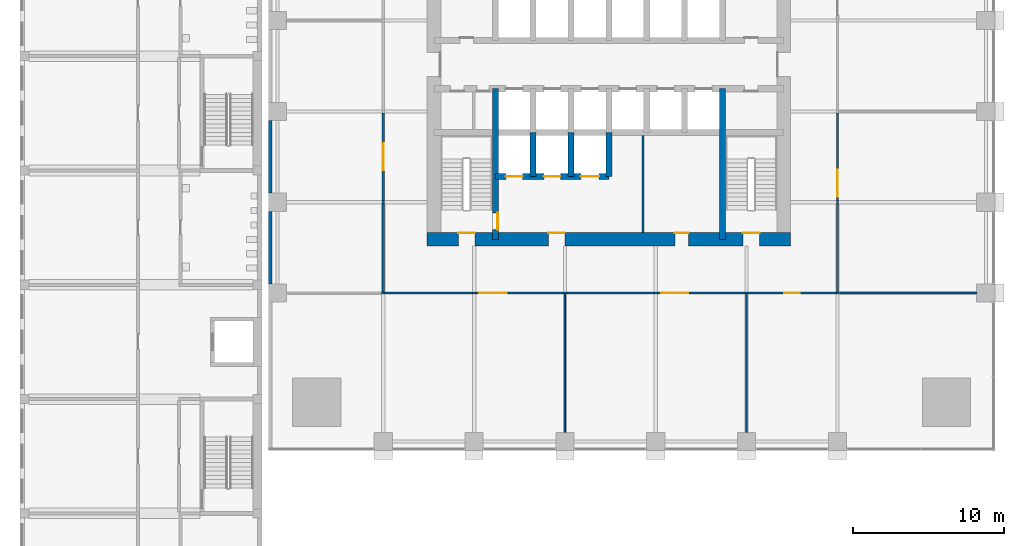
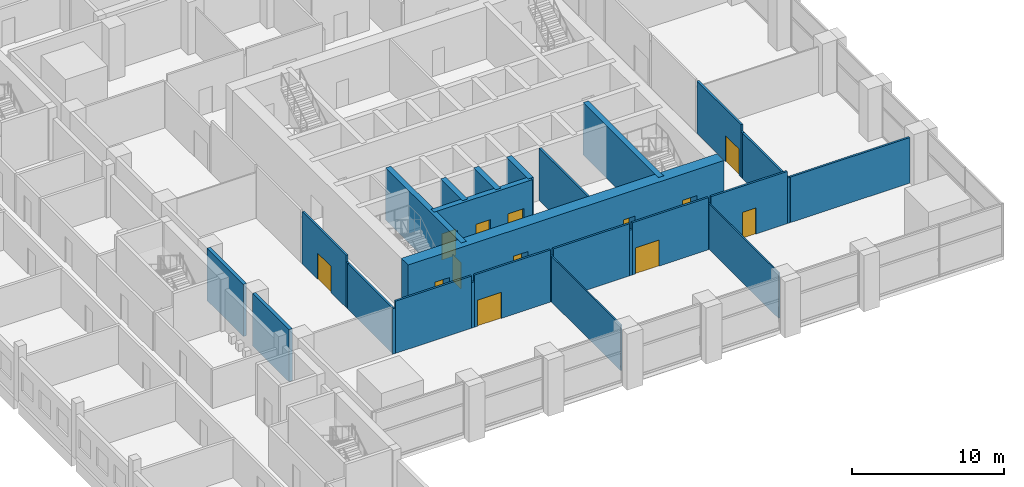
# One storey, part 11 of 25: 30 walls, 13 doors, 13 openings.
"""IFC4 building model written with IfcOpenShell, lengths in metres."""

from ifc_helpers import new_model, si_unit, direction, frame, frame_2d, origin, place, context, subcontext, project, spatial, rectangle, extrude, material, layer, layer_set, type_object, element, fill, save


model = new_model("IFC4")

# Units and contexts
model_context = context("Model", 3, precision=1e-05, world=origin(), true_north=direction((0.0, 1.0)))
body_context = subcontext(model_context, "Body", "Model", "MODEL_VIEW")
ifc_project = project(units=[si_unit("LENGTHUNIT", "METRE"), si_unit("AREAUNIT", "SQUARE_METRE"), si_unit("VOLUMEUNIT", "CUBIC_METRE"), si_unit("PLANEANGLEUNIT", "RADIAN"), si_unit("MASSUNIT", "GRAM", prefix="KILO")], contexts=[model_context])

# Site, building, storey
site_placement = place(None, origin())
site = spatial("IfcSite", under=ifc_project, at=site_placement, CompositionType="ELEMENT")
building_placement = place(site_placement, origin())
building = spatial("IfcBuilding", under=site, at=building_placement, Name="Amberfall Residences", CompositionType="ELEMENT")
storey_placement = place(building_placement, frame((0.0, 0.0, 10.0)))
storey = spatial("IfcBuildingStorey", under=building, at=storey_placement, Name="L02", CompositionType="ELEMENT", Elevation=10.0)

# Wall, opening, door
ifc_material_1 = material(Name="Concrete C80", Category="concrete")
ifc_layer_1 = layer(ifc_material_1, 0.39990234375)
ifc_layer_set_1 = layer_set([ifc_layer_1], Name="Core wall 400 C80")
wall_type_1 = type_object("IfcWallType", Name="Core wall 400 C80", PredefinedType="SHEAR", material=ifc_layer_set_1)
wall_1_placement = place(storey_placement, frame((67.0, 33.949951171875, 0.0), z_axis=(0.0, 0.0, 1.0), x_axis=(0.0, 1.0, 0.0)))
wall_1 = element("IfcWall", 1, at=wall_1_placement, inside=storey, type_object=wall_type_1, Name="Core wall RW2 L02 V45S", PredefinedType="SHEAR", context=body_context, shape_type="SweptSolid", body=[
    extrude(rectangle(XDim=9.949951171875, YDim=0.39990234375, at=frame_2d((4.97509765625, 0.0))), origin(), (0.0, 0.0, 1.0), 4.199951171875),
])
opening_1_placement = place(wall_1_placement, frame((0.64990234375, 0.0, 0.0)))
opening_1 = element("IfcOpeningElement", 2, at=opening_1_placement, cuts=wall_1, Name="Opening FL1", PredefinedType="OPENING", context=body_context, shape_type="SweptSolid", body=[
    extrude(rectangle(XDim=1.10009765625, YDim=2.10009765625, at=frame_2d((0.550048828125, 1.050048828125))), frame((0.0, 0.2099609375, 0.0), z_axis=(0.0, -1.0, 0.0), x_axis=(1.0, 0.0, 0.0)), (0.0, 0.0, 1.0), 0.419921875),
])
ifc_material_2 = material(Name="Steel fire door set", Category="steel")
door_type_1 = type_object("IfcDoorType", Name="Firefighting lobby door 1100 x 2100", OperationType="SINGLE_SWING_LEFT", PredefinedType="DOOR", material=ifc_material_2)
door_1_placement = place(opening_1_placement, origin())
door_1 = element("IfcDoor", 3, at=door_1_placement, inside=storey, type_object=door_type_1, Name="FL1 L02", OperationType="SINGLE_SWING_RIGHT", OverallHeight=2.10009765625, OverallWidth=1.10009765625, PredefinedType="DOOR", context=body_context, shape_type="SweptSolid", body=[
    extrude(rectangle(XDim=1.10009765625, YDim=2.10009765625, at=frame_2d((0.550048828125, 1.050048828125))), frame((0.0, -0.1376953125, 0.0), z_axis=(0.0, -1.0, 0.0), x_axis=(1.0, 0.0, 0.0)), (0.0, 0.0, 1.0), 0.050048828125),
])
fill(opening_1, door_1)

# Wall
wall_2_placement = place(storey_placement, frame((82.0, 33.949951171875, 0.0), z_axis=(0.0, 0.0, 1.0), x_axis=(0.0, 1.0, 0.0)))
element("IfcWall", 4, at=wall_2_placement, inside=storey, type_object=wall_type_1, Name="Core wall RW2 L02 V195S", PredefinedType="SHEAR", context=body_context, shape_type="SweptSolid", body=[
    extrude(rectangle(XDim=9.949951171875, YDim=0.39990234375, at=frame_2d((4.97509765625, 0.0))), origin(), (0.0, 0.0, 1.0), 4.199951171875),
])

# Wall, openings, doors
wall_3_placement = place(storey_placement, frame((67.0, 38.10009765625, 0.0), z_axis=(0.0, 0.0, 1.0), x_axis=(1.0, 0.0, 0.0)))
wall_3 = element("IfcWall", 5, at=wall_3_placement, inside=storey, type_object=wall_type_1, Name="Core wall RW2 L02 FFF", PredefinedType="SHEAR", context=body_context, shape_type="SweptSolid", body=[
    extrude(rectangle(XDim=7.5, YDim=0.39990234375, at=frame_2d((3.75, 0.0))), origin(), (0.0, 0.0, 1.0), 4.199951171875),
])
opening_2_placement = place(wall_3_placement, frame((0.699951171875, 0.0, 0.0)))
opening_2 = element("IfcOpeningElement", 6, at=opening_2_placement, cuts=wall_3, Name="Opening LD2", PredefinedType="OPENING", context=body_context, shape_type="SweptSolid", body=[
    extrude(rectangle(XDim=1.10009765625, YDim=2.10009765625, at=frame_2d((0.550048828125, 1.050048828125))), frame((0.0, 0.2099609375, 0.0), z_axis=(0.0, -1.0, 0.0), x_axis=(1.0, 0.0, 0.0)), (0.0, 0.0, 1.0), 0.419921875),
])
opening_3_placement = place(wall_3_placement, frame((3.199951171875, 0.0, 0.0)))
opening_3 = element("IfcOpeningElement", 7, at=opening_3_placement, cuts=wall_3, Name="Opening LD2", PredefinedType="OPENING", context=body_context, shape_type="SweptSolid", body=[
    extrude(rectangle(XDim=1.10009765625, YDim=2.10009765625, at=frame_2d((0.550048828125, 1.050048828125))), frame((0.0, 0.2099609375, 0.0), z_axis=(0.0, -1.0, 0.0), x_axis=(1.0, 0.0, 0.0)), (0.0, 0.0, 1.0), 0.419921875),
])
opening_4_placement = place(wall_3_placement, frame((5.64990234375, 0.0, 0.0)))
opening_4 = element("IfcOpeningElement", 8, at=opening_4_placement, cuts=wall_3, Name="Opening LD3", PredefinedType="OPENING", context=body_context, shape_type="SweptSolid", body=[
    extrude(rectangle(XDim=1.199951171875, YDim=2.10009765625, at=frame_2d((0.60009765625, 1.050048828125))), frame((0.0, 0.2099609375, 0.0), z_axis=(0.0, -1.0, 0.0), x_axis=(1.0, 0.0, 0.0)), (0.0, 0.0, 1.0), 0.419921875),
])
door_type_2 = type_object("IfcDoorType", Name="Firefighting lift landing door 1100 x 2100", OperationType="DOUBLE_DOOR_SLIDING", PredefinedType="DOOR", material=ifc_material_2)
door_2_placement = place(opening_2_placement, origin())
door_2 = element("IfcDoor", 9, at=door_2_placement, inside=storey, type_object=door_type_2, Name="Landing door FF1 L02", OperationType="DOUBLE_DOOR_SLIDING", OverallHeight=2.10009765625, OverallWidth=1.10009765625, PredefinedType="DOOR", context=body_context, shape_type="SweptSolid", body=[
    extrude(rectangle(XDim=1.10009765625, YDim=2.10009765625, at=frame_2d((0.550048828125, 1.050048828125))), frame((0.0, 0.02490234375, 0.0), z_axis=(0.0, -1.0, 0.0), x_axis=(1.0, 0.0, 0.0)), (0.0, 0.0, 1.0), 0.050048828125),
])
fill(opening_2, door_2)
door_3_placement = place(opening_3_placement, origin())
door_3 = element("IfcDoor", 10, at=door_3_placement, inside=storey, type_object=door_type_2, Name="Landing door FF2 L02", OperationType="DOUBLE_DOOR_SLIDING", OverallHeight=2.10009765625, OverallWidth=1.10009765625, PredefinedType="DOOR", context=body_context, shape_type="SweptSolid", body=[
    extrude(rectangle(XDim=1.10009765625, YDim=2.10009765625, at=frame_2d((0.550048828125, 1.050048828125))), frame((0.0, 0.02490234375, 0.0), z_axis=(0.0, -1.0, 0.0), x_axis=(1.0, 0.0, 0.0)), (0.0, 0.0, 1.0), 0.050048828125),
])
fill(opening_3, door_3)
door_type_3 = type_object("IfcDoorType", Name="Service lift landing door 1200 x 2100", OperationType="DOUBLE_DOOR_SLIDING", PredefinedType="DOOR", material=ifc_material_2)
door_4_placement = place(opening_4_placement, origin())
door_4 = element("IfcDoor", 11, at=door_4_placement, inside=storey, type_object=door_type_3, Name="Landing door SL1 L02", OperationType="DOUBLE_DOOR_SLIDING", OverallHeight=2.10009765625, OverallWidth=1.199951171875, PredefinedType="DOOR", context=body_context, shape_type="SweptSolid", body=[
    extrude(rectangle(XDim=1.199951171875, YDim=2.10009765625, at=frame_2d((0.60009765625, 1.050048828125))), frame((0.0, 0.02490234375, 0.0), z_axis=(0.0, -1.0, 0.0), x_axis=(1.0, 0.0, 0.0)), (0.0, 0.0, 1.0), 0.050048828125),
])
fill(opening_4, door_4)

# Walls
for number, where, z_axis, x_axis, name in (
    (12, (69.5, 38.10009765625, 0.0), (0.0, 0.0, 1.0), (0.0, 1.0, 0.0), "Core wall RW2 L02 FFD1"),
    (13, (72.0, 38.10009765625, 0.0), (0.0, 0.0, 1.0), (0.0, 1.0, 0.0), "Core wall RW2 L02 FFD2"),
    (14, (74.5, 38.10009765625, 0.0), (0.0, 0.0, 1.0), (0.0, 1.0, 0.0), "Core wall RW2 L02 FFD3"),
):
    element("IfcWall", number, at=place(storey_placement, frame(where, z_axis=z_axis, x_axis=x_axis)), inside=storey, type_object=wall_type_1, Name=name, PredefinedType="SHEAR", context=body_context, shape_type="SweptSolid", body=[
        extrude(rectangle(XDim=2.89990234375, YDim=0.39990234375, at=frame_2d((1.449951171875, 0.0))), origin(), (0.0, 0.0, 1.0), 4.199951171875),
    ])

# Wall, openings, doors
ifc_layer_2 = layer(ifc_material_1, 0.89990234375)
ifc_layer_set_2 = layer_set([ifc_layer_2], Name="Core wall 900 C80")
wall_type_2 = type_object("IfcWallType", Name="Core wall 900 C80", PredefinedType="SHEAR", material=ifc_layer_set_2)
wall_4_placement = place(storey_placement, frame((62.5, 33.949951171875, 0.0), z_axis=(0.0, 0.0, 1.0), x_axis=(1.0, 0.0, 0.0)))
wall_4 = element("IfcWall", 15, at=wall_4_placement, inside=storey, type_object=wall_type_2, Name="Core wall RW1 L02 OS", PredefinedType="SHEAR", context=body_context, shape_type="SweptSolid", body=[
    extrude(rectangle(XDim=24.0, YDim=0.89990234375, at=frame_2d((12.0, 0.0))), origin(), (0.0, 0.0, 1.0), 4.199951171875),
])
opening_5_placement = place(wall_4_placement, frame((2.050048828125, 0.0, 0.0)))
opening_5 = element("IfcOpeningElement", 16, at=opening_5_placement, cuts=wall_4, Name="Opening SD1", PredefinedType="OPENING", context=body_context, shape_type="SweptSolid", body=[
    extrude(rectangle(XDim=1.10009765625, YDim=2.10009765625, at=frame_2d((0.550048828125, 1.050048828125))), frame((0.0, 0.4599609375, 0.0), z_axis=(0.0, -1.0, 0.0), x_axis=(1.0, 0.0, 0.0)), (0.0, 0.0, 1.0), 0.919921875),
])
opening_6_placement = place(wall_4_placement, frame((20.85009765625, 0.0, 0.0)))
opening_6 = element("IfcOpeningElement", 17, at=opening_6_placement, cuts=wall_4, Name="Opening SD1", PredefinedType="OPENING", context=body_context, shape_type="SweptSolid", body=[
    extrude(rectangle(XDim=1.10009765625, YDim=2.10009765625, at=frame_2d((0.550048828125, 1.050048828125))), frame((0.0, 0.4599609375, 0.0), z_axis=(0.0, -1.0, 0.0), x_axis=(1.0, 0.0, 0.0)), (0.0, 0.0, 1.0), 0.919921875),
])
opening_7_placement = place(wall_4_placement, frame((8.0, 0.0, 0.0)))
opening_7 = element("IfcOpeningElement", 18, at=opening_7_placement, cuts=wall_4, Name="Opening FL1", PredefinedType="OPENING", context=body_context, shape_type="SweptSolid", body=[
    extrude(rectangle(XDim=1.10009765625, YDim=2.10009765625, at=frame_2d((0.550048828125, 1.050048828125))), frame((0.0, 0.4599609375, 0.0), z_axis=(0.0, -1.0, 0.0), x_axis=(1.0, 0.0, 0.0)), (0.0, 0.0, 1.0), 0.919921875),
])
opening_8_placement = place(wall_4_placement, frame((16.362548828125, 0.0, 0.0)))
opening_8 = element("IfcOpeningElement", 19, at=opening_8_placement, cuts=wall_4, Name="Opening RD1", PredefinedType="OPENING", context=body_context, shape_type="SweptSolid", body=[
    extrude(rectangle(XDim=0.89990234375, YDim=2.10009765625, at=frame_2d((0.449951171875, 1.050048828125))), frame((0.0, 0.4599609375, 0.0), z_axis=(0.0, -1.0, 0.0), x_axis=(1.0, 0.0, 0.0)), (0.0, 0.0, 1.0), 0.919921875),
])
door_5_placement = place(opening_7_placement, origin())
door_5 = element("IfcDoor", 20, at=door_5_placement, inside=storey, type_object=door_type_1, Name="FL1 L02", OperationType="SINGLE_SWING_LEFT", OverallHeight=2.10009765625, OverallWidth=1.10009765625, PredefinedType="DOOR", context=body_context, shape_type="SweptSolid", body=[
    extrude(rectangle(XDim=1.10009765625, YDim=2.10009765625, at=frame_2d((0.550048828125, 1.050048828125))), frame((0.0, 0.4375, 0.0), z_axis=(0.0, -1.0, 0.0), x_axis=(1.0, 0.0, 0.0)), (0.0, 0.0, 1.0), 0.050048828125),
])
fill(opening_7, door_5)
door_type_4 = type_object("IfcDoorType", Name="Service room door 900 x 2100", OperationType="SINGLE_SWING_LEFT", PredefinedType="DOOR", material=ifc_material_2)
door_6_placement = place(opening_8_placement, origin())
door_6 = element("IfcDoor", 21, at=door_6_placement, inside=storey, type_object=door_type_4, Name="RD1 L02", OperationType="SINGLE_SWING_LEFT", OverallHeight=2.10009765625, OverallWidth=0.89990234375, PredefinedType="DOOR", context=body_context, shape_type="SweptSolid", body=[
    extrude(rectangle(XDim=0.89990234375, YDim=2.10009765625, at=frame_2d((0.449951171875, 1.050048828125))), frame((0.0, 0.4375, 0.0), z_axis=(0.0, -1.0, 0.0), x_axis=(1.0, 0.0, 0.0)), (0.0, 0.0, 1.0), 0.050048828125),
])
fill(opening_8, door_6)
door_type_5 = type_object("IfcDoorType", Name="Stair door 1100 x 2100", OperationType="SINGLE_SWING_LEFT", PredefinedType="DOOR", material=ifc_material_2)
door_7_placement = place(opening_5_placement, origin())
door_7 = element("IfcDoor", 22, at=door_7_placement, inside=storey, type_object=door_type_5, Name="SD1 L02", OperationType="SINGLE_SWING_LEFT", OverallHeight=2.10009765625, OverallWidth=1.10009765625, PredefinedType="DOOR", context=body_context, shape_type="SweptSolid", body=[
    extrude(rectangle(XDim=1.10009765625, YDim=2.10009765625, at=frame_2d((0.550048828125, 1.050048828125))), frame((0.0, 0.4375, 0.0), z_axis=(0.0, -1.0, 0.0), x_axis=(1.0, 0.0, 0.0)), (0.0, 0.0, 1.0), 0.050048828125),
])
fill(opening_5, door_7)
door_8_placement = place(opening_6_placement, origin())
door_8 = element("IfcDoor", 23, at=door_8_placement, inside=storey, type_object=door_type_5, Name="SD1 L02", OperationType="SINGLE_SWING_RIGHT", OverallHeight=2.10009765625, OverallWidth=1.10009765625, PredefinedType="DOOR", context=body_context, shape_type="SweptSolid", body=[
    extrude(rectangle(XDim=1.10009765625, YDim=2.10009765625, at=frame_2d((0.550048828125, 1.050048828125))), frame((0.0, 0.4375, 0.0), z_axis=(0.0, -1.0, 0.0), x_axis=(1.0, 0.0, 0.0)), (0.0, 0.0, 1.0), 0.050048828125),
])
fill(opening_6, door_8)

# Walls
ifc_material_3 = material(Name="Gypsum board on steel studs", Category="steel")
ifc_layer_3 = layer(ifc_material_3, 0.10009765625)
ifc_layer_set_3 = layer_set([ifc_layer_3], Name="Partition 100")
wall_type_3 = type_object("IfcWallType", Name="Partition 100", PredefinedType="PARTITIONING", material=ifc_layer_set_3)
for number, where, z_axis, x_axis, name in (
    (24, (71.60009765625, 21.199951171875, 0.0), (0.0, 0.0, 1.0), (0.0, 1.0, 0.0), "Partition 100 L02 005"),
    (25, (83.60009765625, 21.199951171875, 0.0), (0.0, 0.0, 1.0), (0.0, 1.0, 0.0), "Partition 100 L02 012"),
):
    element("IfcWall", number, at=place(storey_placement, frame(where, z_axis=z_axis, x_axis=x_axis)), inside=storey, type_object=wall_type_3, Name=name, PredefinedType="PARTITIONING", context=body_context, shape_type="SweptSolid", body=[
        extrude(rectangle(XDim=9.125, YDim=0.10009765625, at=frame_2d((4.5625, 0.0))), origin(), (0.0, 0.0, 1.0), 3.659912109375),
    ])
ifc_material_4 = material(Name="Fire-rated gypsum board on steel studs", Category="steel")
ifc_layer_4 = layer(ifc_material_4, 0.14990234375)
ifc_layer_set_4 = layer_set([ifc_layer_4], Name="Partition 150 fire-rated")
wall_type_4 = type_object("IfcWallType", Name="Partition 150 fire-rated", PredefinedType="PARTITIONING", material=ifc_layer_set_4)
wall_5_placement = place(storey_placement, frame((59.49462890625, 30.39990234375, 0.0), z_axis=(0.0, 0.0, 1.0), x_axis=(1.0, 0.0, 0.0)))
element("IfcWall", 26, at=wall_5_placement, inside=storey, type_object=wall_type_4, Name="Partition 150 fire-rated L02 002", PredefinedType="PARTITIONING", context=body_context, shape_type="SweptSolid", body=[
    extrude(rectangle(XDim=0.210693359375, YDim=0.14990234375, at=frame_2d((0.10546875, 0.0))), origin(), (0.0, 0.0, 1.0), 3.659912109375),
])
wall_6_placement = place(storey_placement, frame((59.705322265625, 30.39990234375, 0.0), z_axis=(0.0, 0.0, 1.0), x_axis=(1.0, 0.0, 0.0)))
element("IfcWall", 27, at=wall_6_placement, inside=storey, type_object=wall_type_4, Name="Partition 150 fire-rated L02 003", PredefinedType="PARTITIONING", context=body_context, shape_type="SweptSolid", body=[
    extrude(rectangle(XDim=5.789306640625, YDim=0.14990234375, at=frame_2d((2.89453125, 0.0))), origin(), (0.0, 0.0, 1.0), 4.199951171875),
])
wall_7_placement = place(storey_placement, frame((65.49462890625, 30.39990234375, 0.0), z_axis=(0.0, 0.0, 1.0), x_axis=(1.0, 0.0, 0.0)))
element("IfcWall", 28, at=wall_7_placement, inside=storey, type_object=wall_type_4, Name="Partition 150 fire-rated L02 004", PredefinedType="PARTITIONING", context=body_context, shape_type="SweptSolid", body=[
    extrude(rectangle(XDim=0.210693359375, YDim=0.14990234375, at=frame_2d((0.10546875, 0.0))), origin(), (0.0, 0.0, 1.0), 3.659912109375),
])

# Wall, opening, door
wall_8_placement = place(storey_placement, frame((65.705322265625, 30.39990234375, 0.0), z_axis=(0.0, 0.0, 1.0), x_axis=(1.0, 0.0, 0.0)))
wall_8 = element("IfcWall", 29, at=wall_8_placement, inside=storey, type_object=wall_type_4, Name="Partition 150 fire-rated L02 005", PredefinedType="PARTITIONING", context=body_context, shape_type="SweptSolid", body=[
    extrude(rectangle(XDim=5.789306640625, YDim=0.14990234375, at=frame_2d((2.89453125, 0.0))), origin(), (0.0, 0.0, 1.0), 4.199951171875),
])
opening_9_placement = place(wall_8_placement, frame((0.24462890625, 0.0, 0.0)))
opening_9 = element("IfcOpeningElement", 30, at=opening_9_placement, cuts=wall_8, Name="Opening D5", PredefinedType="OPENING", context=body_context, shape_type="SweptSolid", body=[
    extrude(rectangle(XDim=1.800048828125, YDim=2.10009765625, at=frame_2d((0.89990234375, 1.050048828125))), frame((0.0, 0.0849609375, 0.0), z_axis=(0.0, -1.0, 0.0), x_axis=(1.0, 0.0, 0.0)), (0.0, 0.0, 1.0), 0.169921875),
])
ifc_material_5 = material(Name="Timber veneer door leaf", Category="wood")
door_type_6 = type_object("IfcDoorType", Name="Double door 1800x2100", OperationType="DOUBLE_DOOR_SINGLE_SWING", PredefinedType="DOOR", material=ifc_material_5)
door_9_placement = place(opening_9_placement, origin())
door_9 = element("IfcDoor", 31, at=door_9_placement, inside=storey, type_object=door_type_6, Name="Door Gym", OperationType="DOUBLE_DOOR_SINGLE_SWING", OverallHeight=2.10009765625, OverallWidth=1.800048828125, PredefinedType="DOOR", context=body_context, shape_type="SweptSolid", body=[
    extrude(rectangle(XDim=1.800048828125, YDim=2.10009765625, at=frame_2d((0.89990234375, 1.050048828125))), frame((0.0, 0.02490234375, 0.0), z_axis=(0.0, -1.0, 0.0), x_axis=(1.0, 0.0, 0.0)), (0.0, 0.0, 1.0), 0.050048828125),
])
fill(opening_9, door_9)

# Walls
wall_9_placement = place(storey_placement, frame((71.49462890625, 30.39990234375, 0.0), z_axis=(0.0, 0.0, 1.0), x_axis=(1.0, 0.0, 0.0)))
element("IfcWall", 32, at=wall_9_placement, inside=storey, type_object=wall_type_4, Name="Partition 150 fire-rated L02 006", PredefinedType="PARTITIONING", context=body_context, shape_type="SweptSolid", body=[
    extrude(rectangle(XDim=0.210693359375, YDim=0.14990234375, at=frame_2d((0.10546875, 0.0))), origin(), (0.0, 0.0, 1.0), 3.659912109375),
])
wall_10_placement = place(storey_placement, frame((71.705322265625, 30.39990234375, 0.0), z_axis=(0.0, 0.0, 1.0), x_axis=(1.0, 0.0, 0.0)))
element("IfcWall", 33, at=wall_10_placement, inside=storey, type_object=wall_type_4, Name="Partition 150 fire-rated L02 007", PredefinedType="PARTITIONING", context=body_context, shape_type="SweptSolid", body=[
    extrude(rectangle(XDim=5.789306640625, YDim=0.14990234375, at=frame_2d((2.89453125, 0.0))), origin(), (0.0, 0.0, 1.0), 4.199951171875),
])
wall_11_placement = place(storey_placement, frame((77.49462890625, 30.39990234375, 0.0), z_axis=(0.0, 0.0, 1.0), x_axis=(1.0, 0.0, 0.0)))
element("IfcWall", 34, at=wall_11_placement, inside=storey, type_object=wall_type_4, Name="Partition 150 fire-rated L02 008", PredefinedType="PARTITIONING", context=body_context, shape_type="SweptSolid", body=[
    extrude(rectangle(XDim=0.210693359375, YDim=0.14990234375, at=frame_2d((0.10546875, 0.0))), origin(), (0.0, 0.0, 1.0), 3.659912109375),
])

# Wall, opening, door
wall_12_placement = place(storey_placement, frame((77.705322265625, 30.39990234375, 0.0), z_axis=(0.0, 0.0, 1.0), x_axis=(1.0, 0.0, 0.0)))
wall_12 = element("IfcWall", 35, at=wall_12_placement, inside=storey, type_object=wall_type_4, Name="Partition 150 fire-rated L02 009", PredefinedType="PARTITIONING", context=body_context, shape_type="SweptSolid", body=[
    extrude(rectangle(XDim=5.789306640625, YDim=0.14990234375, at=frame_2d((2.89453125, 0.0))), origin(), (0.0, 0.0, 1.0), 4.199951171875),
])
opening_10_placement = place(wall_12_placement, frame((0.24462890625, 0.0, 0.0)))
opening_10 = element("IfcOpeningElement", 36, at=opening_10_placement, cuts=wall_12, Name="Opening D5", PredefinedType="OPENING", context=body_context, shape_type="SweptSolid", body=[
    extrude(rectangle(XDim=1.800048828125, YDim=2.10009765625, at=frame_2d((0.89990234375, 1.050048828125))), frame((0.0, 0.0849609375, 0.0), z_axis=(0.0, -1.0, 0.0), x_axis=(1.0, 0.0, 0.0)), (0.0, 0.0, 1.0), 0.169921875),
])
door_10_placement = place(opening_10_placement, origin())
door_10 = element("IfcDoor", 37, at=door_10_placement, inside=storey, type_object=door_type_6, Name="Door Yoga studio", OperationType="DOUBLE_DOOR_SINGLE_SWING", OverallHeight=2.10009765625, OverallWidth=1.800048828125, PredefinedType="DOOR", context=body_context, shape_type="SweptSolid", body=[
    extrude(rectangle(XDim=1.800048828125, YDim=2.10009765625, at=frame_2d((0.89990234375, 1.050048828125))), frame((0.0, 0.02490234375, 0.0), z_axis=(0.0, -1.0, 0.0), x_axis=(1.0, 0.0, 0.0)), (0.0, 0.0, 1.0), 0.050048828125),
])
fill(opening_10, door_10)

# Wall
wall_13_placement = place(storey_placement, frame((83.49462890625, 30.39990234375, 0.0), z_axis=(0.0, 0.0, 1.0), x_axis=(1.0, 0.0, 0.0)))
element("IfcWall", 38, at=wall_13_placement, inside=storey, type_object=wall_type_4, Name="Partition 150 fire-rated L02 010", PredefinedType="PARTITIONING", context=body_context, shape_type="SweptSolid", body=[
    extrude(rectangle(XDim=0.210693359375, YDim=0.14990234375, at=frame_2d((0.10546875, 0.0))), origin(), (0.0, 0.0, 1.0), 3.659912109375),
])

# Wall, opening, door
wall_14_placement = place(storey_placement, frame((83.705322265625, 30.39990234375, 0.0), z_axis=(0.0, 0.0, 1.0), x_axis=(1.0, 0.0, 0.0)))
wall_14 = element("IfcWall", 39, at=wall_14_placement, inside=storey, type_object=wall_type_4, Name="Partition 150 fire-rated L02 011", PredefinedType="PARTITIONING", context=body_context, shape_type="SweptSolid", body=[
    extrude(rectangle(XDim=5.789306640625, YDim=0.14990234375, at=frame_2d((2.89453125, 0.0))), origin(), (0.0, 0.0, 1.0), 4.199951171875),
])
opening_11_placement = place(wall_14_placement, frame((2.39453125, 0.0, 0.0)))
opening_11 = element("IfcOpeningElement", 40, at=opening_11_placement, cuts=wall_14, Name="Opening D2", PredefinedType="OPENING", context=body_context, shape_type="SweptSolid", body=[
    extrude(rectangle(XDim=1.0, YDim=2.10009765625, at=frame_2d((0.5, 1.050048828125))), frame((0.0, 0.0849609375, 0.0), z_axis=(0.0, -1.0, 0.0), x_axis=(1.0, 0.0, 0.0)), (0.0, 0.0, 1.0), 0.169921875),
])
ifc_material_6 = material(Name="Steel fire door leaf", Category="steel")
door_type_7 = type_object("IfcDoorType", Name="Fire door 1000x2100 FD30S", OperationType="SINGLE_SWING_LEFT", PredefinedType="DOOR", material=ifc_material_6)
door_11_placement = place(opening_11_placement, origin())
door_11 = element("IfcDoor", 41, at=door_11_placement, inside=storey, type_object=door_type_7, Name="Door Spa treatment suite", OperationType="SINGLE_SWING_LEFT", OverallHeight=2.10009765625, OverallWidth=1.0, PredefinedType="DOOR", context=body_context, shape_type="SweptSolid", body=[
    extrude(rectangle(XDim=1.0, YDim=2.10009765625, at=frame_2d((0.5, 1.050048828125))), frame((0.0, 0.02490234375, 0.0), z_axis=(0.0, -1.0, 0.0), x_axis=(1.0, 0.0, 0.0)), (0.0, 0.0, 1.0), 0.050048828125),
])
fill(opening_11, door_11)

# Walls
wall_15_placement = place(storey_placement, frame((89.49462890625, 30.39990234375, 0.0), z_axis=(0.0, 0.0, 1.0), x_axis=(1.0, 0.0, 0.0)))
element("IfcWall", 42, at=wall_15_placement, inside=storey, type_object=wall_type_4, Name="Partition 150 fire-rated L02 012", PredefinedType="PARTITIONING", context=body_context, shape_type="SweptSolid", body=[
    extrude(rectangle(XDim=0.210693359375, YDim=0.14990234375, at=frame_2d((0.10546875, 0.0))), origin(), (0.0, 0.0, 1.0), 3.659912109375),
])
wall_16_placement = place(storey_placement, frame((89.719970703125, 30.39990234375, 0.0), z_axis=(0.0, 0.0, 1.0), x_axis=(1.0, 0.0, 0.0)))
element("IfcWall", 43, at=wall_16_placement, inside=storey, type_object=wall_type_4, Name="Partition 150 fire-rated L02 013", PredefinedType="PARTITIONING", context=body_context, shape_type="SweptSolid", body=[
    extrude(rectangle(XDim=9.080078125, YDim=0.14990234375, at=frame_2d((4.5400390625, 0.0))), origin(), (0.0, 0.0, 1.0), 3.6669921875),
])
wall_17_placement = place(storey_placement, frame((59.60009765625, 30.47509765625, 0.0), z_axis=(0.0, 0.0, 1.0), x_axis=(0.0, 1.0, 0.0)))
element("IfcWall", 44, at=wall_17_placement, inside=storey, type_object=wall_type_4, Name="Partition 150 fire-rated L02 027", PredefinedType="PARTITIONING", context=body_context, shape_type="SweptSolid", body=[
    extrude(rectangle(XDim=5.8203125, YDim=0.14990234375, at=frame_2d((2.91015625, 0.0))), origin(), (0.0, 0.0, 1.0), 3.659912109375),
])
wall_18_placement = place(storey_placement, frame((59.60009765625, 36.30029296875, 0.0), z_axis=(0.0, 0.0, 1.0), x_axis=(0.0, 1.0, 0.0)))
element("IfcWall", 45, at=wall_18_placement, inside=storey, type_object=wall_type_4, Name="Partition 150 fire-rated L02 028", PredefinedType="PARTITIONING", context=body_context, shape_type="SweptSolid", body=[
    extrude(rectangle(XDim=0.204345703125, YDim=0.14990234375, at=frame_2d((0.10205078125, 0.0))), origin(), (0.0, 0.0, 1.0), 3.6669921875),
])

# Wall, opening, door
wall_19_placement = place(storey_placement, frame((59.60009765625, 36.504638671875, 0.0), z_axis=(0.0, 0.0, 1.0), x_axis=(0.0, 1.0, 0.0)))
wall_19 = element("IfcWall", 46, at=wall_19_placement, inside=storey, type_object=wall_type_4, Name="Partition 150 fire-rated L02 029", PredefinedType="PARTITIONING", context=body_context, shape_type="SweptSolid", body=[
    extrude(rectangle(XDim=5.790771484375, YDim=0.14990234375, at=frame_2d((2.8955078125, 0.0))), origin(), (0.0, 0.0, 1.0), 4.199951171875),
])
opening_12_placement = place(wall_19_placement, frame((1.995361328125, 0.0, 0.0)))
opening_12 = element("IfcOpeningElement", 47, at=opening_12_placement, cuts=wall_19, Name="Opening D5", PredefinedType="OPENING", context=body_context, shape_type="SweptSolid", body=[
    extrude(rectangle(XDim=1.800048828125, YDim=2.10009765625, at=frame_2d((0.89990234375, 1.050048828125))), frame((0.0, 0.0849609375, 0.0), z_axis=(0.0, -1.0, 0.0), x_axis=(1.0, 0.0, 0.0)), (0.0, 0.0, 1.0), 0.169921875),
])
door_12_placement = place(opening_12_placement, origin())
door_12 = element("IfcDoor", 48, at=door_12_placement, inside=storey, type_object=door_type_6, Name="Door Games room", OperationType="DOUBLE_DOOR_SINGLE_SWING", OverallHeight=2.10009765625, OverallWidth=1.800048828125, PredefinedType="DOOR", context=body_context, shape_type="SweptSolid", body=[
    extrude(rectangle(XDim=1.800048828125, YDim=2.10009765625, at=frame_2d((0.89990234375, 1.050048828125))), frame((0.0, 0.02490234375, 0.0), z_axis=(0.0, -1.0, 0.0), x_axis=(1.0, 0.0, 0.0)), (0.0, 0.0, 1.0), 0.050048828125),
])
fill(opening_12, door_12)

# Walls
wall_20_placement = place(storey_placement, frame((89.60009765625, 30.47509765625, 0.0), z_axis=(0.0, 0.0, 1.0), x_axis=(0.0, 1.0, 0.0)))
element("IfcWall", 49, at=wall_20_placement, inside=storey, type_object=wall_type_4, Name="Partition 150 fire-rated L02 044", PredefinedType="PARTITIONING", context=body_context, shape_type="SweptSolid", body=[
    extrude(rectangle(XDim=5.819580078125, YDim=0.14990234375, at=frame_2d((2.90966796875, 0.0))), origin(), (0.0, 0.0, 1.0), 3.659912109375),
])
wall_21_placement = place(storey_placement, frame((89.60009765625, 36.299560546875, 0.0), z_axis=(0.0, 0.0, 1.0), x_axis=(0.0, 1.0, 0.0)))
element("IfcWall", 50, at=wall_21_placement, inside=storey, type_object=wall_type_4, Name="Partition 150 fire-rated L02 045", PredefinedType="PARTITIONING", context=body_context, shape_type="SweptSolid", body=[
    extrude(rectangle(XDim=0.205810546875, YDim=0.14990234375, at=frame_2d((0.10302734375, 0.0))), origin(), (0.0, 0.0, 1.0), 3.659912109375),
])

# Wall, opening, door
wall_22_placement = place(storey_placement, frame((89.60009765625, 36.50537109375, 0.0), z_axis=(0.0, 0.0, 1.0), x_axis=(0.0, 1.0, 0.0)))
wall_22 = element("IfcWall", 51, at=wall_22_placement, inside=storey, type_object=wall_type_4, Name="Partition 150 fire-rated L02 046", PredefinedType="PARTITIONING", context=body_context, shape_type="SweptSolid", body=[
    extrude(rectangle(XDim=5.789306640625, YDim=0.14990234375, at=frame_2d((2.89453125, 0.0))), origin(), (0.0, 0.0, 1.0), 4.199951171875),
])
opening_13_placement = place(wall_22_placement, frame((0.24462890625, 0.0, 0.0)))
opening_13 = element("IfcOpeningElement", 52, at=opening_13_placement, cuts=wall_22, Name="Opening D5", PredefinedType="OPENING", context=body_context, shape_type="SweptSolid", body=[
    extrude(rectangle(XDim=1.800048828125, YDim=2.10009765625, at=frame_2d((0.89990234375, 1.050048828125))), frame((0.0, 0.0849609375, 0.0), z_axis=(0.0, -1.0, 0.0), x_axis=(1.0, 0.0, 0.0)), (0.0, 0.0, 1.0), 0.169921875),
])
door_13_placement = place(opening_13_placement, origin())
door_13 = element("IfcDoor", 53, at=door_13_placement, inside=storey, type_object=door_type_6, Name="Door Fitness studio", OperationType="DOUBLE_DOOR_SINGLE_SWING", OverallHeight=2.10009765625, OverallWidth=1.800048828125, PredefinedType="DOOR", context=body_context, shape_type="SweptSolid", body=[
    extrude(rectangle(XDim=1.800048828125, YDim=2.10009765625, at=frame_2d((0.89990234375, 1.050048828125))), frame((0.0, 0.02490234375, 0.0), z_axis=(0.0, -1.0, 0.0), x_axis=(1.0, 0.0, 0.0)), (0.0, 0.0, 1.0), 0.050048828125),
])
fill(opening_13, door_13)

# Walls
ifc_material_7 = material(Name="Precast concrete C40", Category="concrete")
ifc_layer_5 = layer(ifc_material_7, 0.25)
ifc_layer_set_5 = layer_set([ifc_layer_5], Name="Podium external wall 250")
wall_type_5 = type_object("IfcWallType", Name="Podium external wall 250", PredefinedType="SOLIDWALL", material=ifc_layer_set_5)
for number, where, z_axis, x_axis, name in (
    (54, (52.125, 31.0, 0.0), (0.0, 0.0, 1.0), (0.0, 1.0, 0.0), "Podium external wall W2"),
    (55, (52.125, 37.0, 0.0), (0.0, 0.0, 1.0), (0.0, 1.0, 0.0), "Podium external wall W3"),
):
    element("IfcWall", number, at=place(storey_placement, frame(where, z_axis=z_axis, x_axis=x_axis)), inside=storey, type_object=wall_type_5, Name=name, PredefinedType="SOLIDWALL", context=body_context, shape_type="SweptSolid", body=[
        extrude(rectangle(XDim=4.800048828125, YDim=0.25, at=frame_2d((2.39990234375, 0.0))), origin(), (0.0, 0.0, 1.0), 4.199951171875),
    ])
ifc_material_8 = material(Name="Concrete blockwork", Category="masonry")
ifc_layer_6 = layer(ifc_material_8, 0.14990234375)
ifc_layer_set_6 = layer_set([ifc_layer_6], Name="Riser wall 150")
wall_type_6 = type_object("IfcWallType", Name="Riser wall 150", PredefinedType="PLUMBINGWALL", material=ifc_layer_set_6)
wall_23_placement = place(storey_placement, frame((76.75, 34.39990234375, 0.0), z_axis=(0.0, 0.0, 1.0), x_axis=(0.0, 1.0, 0.0)))
element("IfcWall", 56, at=wall_23_placement, inside=storey, type_object=wall_type_6, Name="L02 core wall PX", PredefinedType="PLUMBINGWALL", context=body_context, shape_type="SweptSolid", body=[
    extrude(rectangle(XDim=6.400146484375, YDim=0.14990234375, at=frame_2d((3.2001953125, 0.0))), origin(), (0.0, 0.0, 1.0), 4.199951171875),
])

save(model, "model.ifc")
